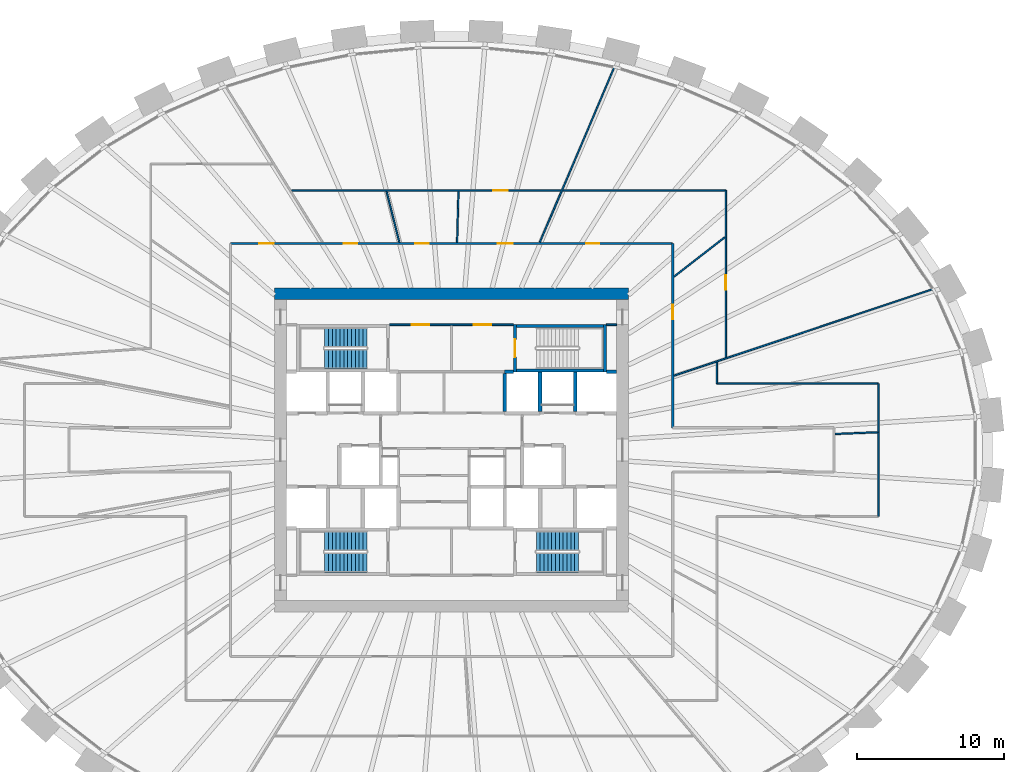
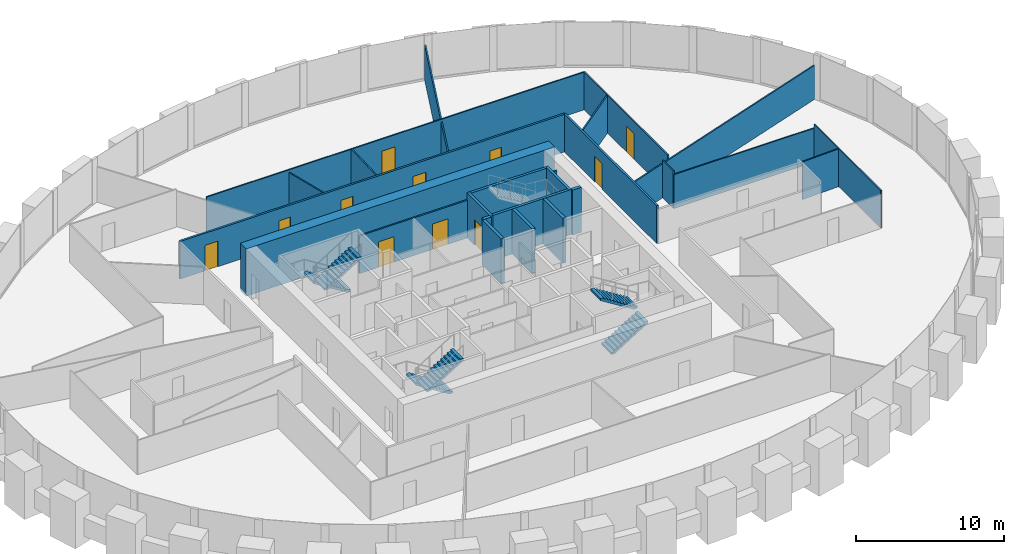
# One storey, part 9 of 11: 25 walls, 11 doors, 6 stair flights, 11 openings, 3 elements without a shape of their own.
"""IFC4 building model written with IfcOpenShell, lengths in metres."""

from ifc_helpers import new_model, si_unit, direction, frame, frame_2d, origin, place, context, subcontext, project, spatial, polyline, rectangle, outline, extrude, source, transform, mapped, material, layer, layer_set, type_object, element, fill, aggregate, save


model = new_model("IFC4")

# Units and contexts
model_context = context("Model", 3, precision=1e-05, world=origin(), true_north=direction((0.0, 1.0)))
body_context = subcontext(model_context, "Body", "Model", "MODEL_VIEW")
ifc_project = project(units=[si_unit("LENGTHUNIT", "METRE"), si_unit("AREAUNIT", "SQUARE_METRE"), si_unit("VOLUMEUNIT", "CUBIC_METRE"), si_unit("PLANEANGLEUNIT", "RADIAN"), si_unit("MASSUNIT", "GRAM", prefix="KILO")], contexts=[model_context])

# Site, building, storey
site_placement = place(None, origin())
site = spatial("IfcSite", under=ifc_project, at=site_placement, CompositionType="ELEMENT")
building_placement = place(site_placement, origin())
building = spatial("IfcBuilding", under=site, at=building_placement, Name="Embergate Tower", CompositionType="ELEMENT")
storey_placement = place(building_placement, frame((0.0, 0.0, 187.199951171875)))
storey = spatial("IfcBuildingStorey", under=building, at=storey_placement, Name="L42", CompositionType="ELEMENT", Elevation=187.199951171875)

# Walls
ifc_material_1 = material(Name="Concrete C70", Category="concrete")
ifc_layer_1 = layer(ifc_material_1, 0.800048828125)
ifc_layer_set_1 = layer_set([ifc_layer_1], Name="Concrete C70")
wall_type_1 = type_object("IfcWallType", Name="Core outer wall C70 800", PredefinedType="SHEAR", material=ifc_layer_set_1)
shared_shape_1 = source(origin(), body_context, "Body", "SweptSolid", [
    extrude(rectangle(XDim=24.0, YDim=0.800048828125, at=frame_2d((12.0, 0.0))), origin(), (0.0, 0.0, 1.0), 3.89990234375),
])
wall_1_placement = place(storey_placement, frame((-12.0, 10.60009765625, -0.199951171875), z_axis=(0.0, 0.0, 1.0), x_axis=(1.0, 0.0, 0.0)))
element("IfcWall", 1, at=wall_1_placement, inside=storey, type_object=wall_type_1, Name="CW-L42-N", PredefinedType="SHEAR", context=body_context, shape_type="MappedRepresentation", body=[
    mapped(shared_shape_1, transform((0.0, 0.0, 0.0))),
])
ifc_material_2 = material(Name="Concrete C50", Category="concrete")
ifc_layer_2 = layer(ifc_material_2, 0.25)
ifc_layer_set_2 = layer_set([ifc_layer_2], Name="Concrete C50")
wall_type_2 = type_object("IfcWallType", Name="Hoistway wall reinforced concrete 250", PredefinedType="SHEAR", material=ifc_layer_set_2)
shared_shape_2 = source(origin(), body_context, "Body", "SweptSolid", [
    extrude(rectangle(XDim=2.675048828125, YDim=0.25, at=frame_2d((1.33740234375, 0.0))), origin(), (0.0, 0.0, 1.0), 3.699951171875),
])
for number, where, z_axis, x_axis, name in (
    (2, (6.0, 2.625, 0.0), (0.0, 0.0, 1.0), (0.0, 1.0, 0.0), "HW-1 wall"),
    (3, (8.39990234375, 2.625, 0.0), (0.0, 0.0, 1.0), (0.0, 1.0, 0.0), "HW-1 wall"),
):
    element("IfcWall", number, at=place(storey_placement, frame(where, z_axis=z_axis, x_axis=x_axis)), inside=storey, type_object=wall_type_2, Name=name, PredefinedType="SHEAR", context=body_context, shape_type="MappedRepresentation", body=[
        mapped(shared_shape_2, transform((0.0, 0.0, 0.0))),
    ])
ifc_layer_3 = layer(ifc_material_2, 0.199951171875)
ifc_layer_set_3 = layer_set([ifc_layer_3], Name="Concrete C50")
wall_type_3 = type_object("IfcWallType", Name="Stair enclosure wall reinforced concrete 250", PredefinedType="SHEAR", material=ifc_layer_set_3)
shared_shape_3 = source(origin(), body_context, "Body", "SweptSolid", [
    extrude(rectangle(XDim=6.300048828125, YDim=0.199951171875, at=frame_2d((3.14990234375, 0.0))), origin(), (0.0, 0.0, 1.0), 3.699951171875),
])
for number, where, z_axis, x_axis, name in (
    (4, (10.5, 5.39990234375, 0.0), (0.0, 0.0, 1.0), (-1.0, 0.0, 0.0), "SE-1 wall"),
    (5, (10.5, 8.39990234375, 0.0), (0.0, 0.0, 1.0), (-1.0, 0.0, 0.0), "SE-1 wall"),
):
    element("IfcWall", number, at=place(storey_placement, frame(where, z_axis=z_axis, x_axis=x_axis)), inside=storey, type_object=wall_type_3, Name=name, PredefinedType="SHEAR", context=body_context, shape_type="MappedRepresentation", body=[
        mapped(shared_shape_3, transform((0.0, 0.0, 0.0))),
    ])
shared_shape_4 = source(origin(), body_context, "Body", "SweptSolid", [
    extrude(rectangle(XDim=2.550048828125, YDim=0.25, at=frame_2d((1.27490234375, 0.0))), origin(), (0.0, 0.0, 1.0), 3.699951171875),
])
wall_2_placement = place(storey_placement, frame((3.60009765625, 5.175048828125, 0.0), z_axis=(0.0, 0.0, 1.0), x_axis=(0.0, -1.0, 0.0)))
element("IfcWall", 6, at=wall_2_placement, inside=storey, type_object=wall_type_2, Name="HW-1 wall", PredefinedType="SHEAR", context=body_context, shape_type="MappedRepresentation", body=[
    mapped(shared_shape_4, transform((0.0, 0.0, 0.0))),
])

# Wall, opening, door
shared_shape_5 = source(origin(), body_context, "Body", "SweptSolid", [
    extrude(rectangle(XDim=3.199951171875, YDim=0.199951171875, at=frame_2d((1.60009765625, 0.0))), origin(), (0.0, 0.0, 1.0), 3.699951171875),
])
wall_3_placement = place(storey_placement, frame((4.300048828125, 8.5, 0.0), z_axis=(0.0, 0.0, 1.0), x_axis=(0.0, -1.0, 0.0)))
wall_3 = element("IfcWall", 7, at=wall_3_placement, inside=storey, type_object=wall_type_3, Name="SE-1 wall", PredefinedType="SHEAR", context=body_context, shape_type="MappedRepresentation", body=[
    mapped(shared_shape_5, transform((0.0, 0.0, 0.0))),
])
shared_shape_6 = source(origin(), body_context, "Body", "SweptSolid", [
    extrude(rectangle(XDim=1.199951171875, YDim=2.10009765625, at=frame_2d((0.60009765625, 1.050048828125))), frame((0.0, 0.10986328125, 0.0), z_axis=(0.0, -1.0, 0.0), x_axis=(1.0, 0.0, 0.0)), (0.0, 0.0, 1.0), 0.219970703125),
])
opening_1_placement = place(wall_3_placement, frame((1.0, 0.0, 0.0)))
opening_1 = element("IfcOpeningElement", 8, at=opening_1_placement, cuts=wall_3, Name="Opening IF-2", PredefinedType="OPENING", context=body_context, shape_type="MappedRepresentation", body=[
    mapped(shared_shape_6, transform((0.0, 0.0, 0.0))),
])
ifc_material_3 = material(Name="Stair enclosure door 1200")
door_type_1 = type_object("IfcDoorType", Name="Stair enclosure door 1200", OperationType="SINGLE_SWING_LEFT", PredefinedType="DOOR", material=ifc_material_3)
shared_shape_7 = source(origin(), body_context, "Body", "SweptSolid", [
    extrude(rectangle(XDim=1.199951171875, YDim=2.10009765625, at=frame_2d((0.60009765625, 1.050048828125))), frame((0.0, 0.02490234375, 0.0), z_axis=(0.0, -1.0, 0.0), x_axis=(1.0, 0.0, 0.0)), (0.0, 0.0, 1.0), 0.050048828125),
])
door_1_placement = place(opening_1_placement, origin())
door_1 = element("IfcDoor", 9, at=door_1_placement, inside=storey, type_object=door_type_1, Name="IF-2 door", OperationType="SINGLE_SWING_RIGHT", OverallHeight=2.10009765625, OverallWidth=1.199951171875, PredefinedType="DOOR", context=body_context, shape_type="MappedRepresentation", body=[
    mapped(shared_shape_7, transform((0.0, 0.0, 0.0))),
])
fill(opening_1, door_1)

# Wall, openings, doors
ifc_material_4 = material(Name="Core partition blockwork 120")
ifc_layer_4 = layer(ifc_material_4, 0.1201171875)
ifc_layer_set_4 = layer_set([ifc_layer_4], Name="Core partition blockwork 120")
wall_type_4 = type_object("IfcWallType", Name="Core partition blockwork 120", PredefinedType="PARTITIONING", material=ifc_layer_set_4)
shared_shape_8 = source(origin(), body_context, "Body", "SweptSolid", [
    extrude(rectangle(XDim=8.39990234375, YDim=0.1201171875, at=frame_2d((4.199951171875, 0.0))), origin(), (0.0, 0.0, 1.0), 3.10009765625),
])
wall_4_placement = place(storey_placement, frame((4.199951171875, 8.5, 0.0), z_axis=(0.0, 0.0, 1.0), x_axis=(-1.0, 0.0, 0.0)))
wall_4 = element("IfcWall", 10, at=wall_4_placement, inside=storey, type_object=wall_type_4, Name="IP-3 wall", PredefinedType="PARTITIONING", context=body_context, shape_type="MappedRepresentation", body=[
    mapped(shared_shape_8, transform((0.0, 0.0, 0.0))),
])
shared_shape_9 = source(origin(), body_context, "Body", "SweptSolid", [
    extrude(rectangle(XDim=1.199951171875, YDim=2.10009765625, at=frame_2d((0.60009765625, 1.050048828125))), frame((0.0, 0.070068359375, 0.0), z_axis=(0.0, -1.0, 0.0), x_axis=(1.0, 0.0, 0.0)), (0.0, 0.0, 1.0), 0.14013671875),
])
opening_2_placement = place(wall_4_placement, frame((5.699951171875, 0.0, 0.0)))
opening_2 = element("IfcOpeningElement", 11, at=opening_2_placement, cuts=wall_4, Name="Opening IF-3f", PredefinedType="OPENING", context=body_context, shape_type="MappedRepresentation", body=[
    mapped(shared_shape_9, transform((0.0, 0.0, 0.0))),
])
opening_3_placement = place(wall_4_placement, frame((1.5, 0.0, 0.0)))
opening_3 = element("IfcOpeningElement", 12, at=opening_3_placement, cuts=wall_4, Name="Opening IF-3f", PredefinedType="OPENING", context=body_context, shape_type="MappedRepresentation", body=[
    mapped(shared_shape_9, transform((0.0, 0.0, 0.0))),
])
ifc_material_5 = material(Name="Lobby fire door pair 1200")
door_type_2 = type_object("IfcDoorType", Name="Lobby fire door pair 1200", OperationType="DOUBLE_DOOR_SINGLE_SWING", PredefinedType="DOOR", material=ifc_material_5)
door_2_placement = place(opening_2_placement, origin())
door_2 = element("IfcDoor", 13, at=door_2_placement, inside=storey, type_object=door_type_2, Name="IF-3 door", OperationType="DOUBLE_DOOR_SINGLE_SWING", OverallHeight=2.10009765625, OverallWidth=1.199951171875, PredefinedType="DOOR", context=body_context, shape_type="MappedRepresentation", body=[
    mapped(shared_shape_7, transform((0.0, 0.0, 0.0))),
])
fill(opening_2, door_2)
door_3_placement = place(opening_3_placement, origin())
door_3 = element("IfcDoor", 14, at=door_3_placement, inside=storey, type_object=door_type_2, Name="IF-3 door", OperationType="DOUBLE_DOOR_SINGLE_SWING", OverallHeight=2.10009765625, OverallWidth=1.199951171875, PredefinedType="DOOR", context=body_context, shape_type="MappedRepresentation", body=[
    mapped(shared_shape_7, transform((0.0, 0.0, 0.0))),
])
fill(opening_3, door_3)

# Walls
ifc_material_6 = material(Name="Partition dry-lined 100 wet")
ifc_layer_5 = layer(ifc_material_6, 0.10009765625)
ifc_layer_set_5 = layer_set([ifc_layer_5], Name="Partition dry-lined 100 wet")
wall_type_5 = type_object("IfcWallType", Name="Partition dry-lined 100 wet", PredefinedType="PLUMBINGWALL", material=ifc_layer_set_5)
shared_shape_10 = source(origin(), body_context, "Body", "SweptSolid", [
    extrude(rectangle(XDim=2.87744140625, YDim=0.10009765625, at=frame_2d((1.438720703125, 0.0))), origin(), (0.0, 0.0, 1.0), 3.10009765625),
])
wall_5_placement = place(storey_placement, frame((28.89990234375, 1.201904296875, 0.0), z_axis=(0.0, 0.0, 1.0), x_axis=(-0.999145964937, -0.041319980038, 0.0)))
element("IfcWall", 15, at=wall_5_placement, inside=storey, type_object=wall_type_5, Name="IP-1 wall", PredefinedType="PLUMBINGWALL", context=body_context, shape_type="MappedRepresentation", body=[
    mapped(shared_shape_10, transform((0.0, 0.0, 0.0))),
])
shared_shape_11 = source(origin(), body_context, "Body", "SweptSolid", [
    extrude(rectangle(XDim=10.949951171875, YDim=0.10009765625, at=frame_2d((5.47509765625, 0.0))), origin(), (0.0, 0.0, 1.0), 2.800048828125),
])
wall_6_placement = place(storey_placement, frame((28.949951171875, 4.5, 0.0), z_axis=(0.0, 0.0, 1.0), x_axis=(-1.0, 0.0, 0.0)))
element("IfcWall", 16, at=wall_6_placement, inside=storey, type_object=wall_type_5, Name="IP-1 wall", PredefinedType="PLUMBINGWALL", context=body_context, shape_type="MappedRepresentation", body=[
    mapped(shared_shape_11, transform((0.0, 0.0, 0.0))),
])
shared_shape_12 = source(origin(), body_context, "Body", "SweptSolid", [
    extrude(rectangle(XDim=0.599853515625, YDim=0.25, at=frame_2d((0.2998046875, 0.0))), origin(), (0.0, 0.0, 1.0), 3.699951171875),
])
wall_7_placement = place(storey_placement, frame((4.199951171875, 5.300048828125, 0.0), z_axis=(0.0, 0.0, 1.0), x_axis=(-1.0, 0.0, 0.0)))
element("IfcWall", 17, at=wall_7_placement, inside=storey, type_object=wall_type_2, Name="HW-1 wall", PredefinedType="SHEAR", context=body_context, shape_type="MappedRepresentation", body=[
    mapped(shared_shape_12, transform((0.0, 0.0, 0.0))),
])
shared_shape_13 = source(origin(), body_context, "Body", "SweptSolid", [
    extrude(rectangle(XDim=3.196044921875, YDim=0.199951171875, at=frame_2d((1.59814453125, 0.0))), origin(), (0.0, 0.0, 1.0), 3.699951171875),
])
wall_8_placement = place(storey_placement, frame((10.39990234375, 5.302001953125, 0.0), z_axis=(0.0, 0.0, 1.0), x_axis=(0.0, 1.0, 0.0)))
element("IfcWall", 18, at=wall_8_placement, inside=storey, type_object=wall_type_3, Name="SE-1 wall", PredefinedType="SHEAR", context=body_context, shape_type="MappedRepresentation", body=[
    mapped(shared_shape_13, transform((0.0, 0.0, 0.0))),
])
shared_shape_14 = source(origin(), body_context, "Body", "SweptSolid", [
    extrude(rectangle(XDim=0.697998046875, YDim=0.25, at=frame_2d((0.34912109375, 0.0))), origin(), (0.0, 0.0, 1.0), 3.699951171875),
])
wall_9_placement = place(storey_placement, frame((11.199951171875, 5.300048828125, 0.0), z_axis=(0.0, 0.0, 1.0), x_axis=(-1.0, 0.0, 0.0)))
element("IfcWall", 19, at=wall_9_placement, inside=storey, type_object=wall_type_2, Name="HW-1 wall", PredefinedType="SHEAR", context=body_context, shape_type="MappedRepresentation", body=[
    mapped(shared_shape_14, transform((0.0, 0.0, 0.0))),
])
shared_shape_15 = source(origin(), body_context, "Body", "SweptSolid", [
    extrude(rectangle(XDim=0.697998046875, YDim=0.1201171875, at=frame_2d((0.34912109375, 0.0))), origin(), (0.0, 0.0, 1.0), 3.10009765625),
])
wall_10_placement = place(storey_placement, frame((10.501953125, 8.5, 0.0), z_axis=(0.0, 0.0, 1.0), x_axis=(1.0, 0.0, 0.0)))
element("IfcWall", 20, at=wall_10_placement, inside=storey, type_object=wall_type_4, Name="IP-3 wall", PredefinedType="PARTITIONING", context=body_context, shape_type="MappedRepresentation", body=[
    mapped(shared_shape_15, transform((0.0, 0.0, 0.0))),
])

# Wall, openings, doors
ifc_material_7 = material(Name="Corridor wall dry-lined 150")
ifc_layer_6 = layer(ifc_material_7, 0.14990234375)
ifc_layer_set_6 = layer_set([ifc_layer_6], Name="Corridor wall dry-lined 150")
wall_type_6 = type_object("IfcWallType", Name="Corridor wall dry-lined 150", PredefinedType="PARTITIONING", material=ifc_layer_set_6)
shared_shape_16 = source(origin(), body_context, "Body", "SweptSolid", [
    extrude(rectangle(XDim=30.0, YDim=0.14990234375, at=frame_2d((15.0, 0.0))), origin(), (0.0, 0.0, 1.0), 3.10009765625),
])
wall_11_placement = place(storey_placement, frame((-15.0, 14.0, 0.0), z_axis=(0.0, 0.0, 1.0), x_axis=(1.0, 0.0, 0.0)))
wall_11 = element("IfcWall", 21, at=wall_11_placement, inside=storey, type_object=wall_type_6, Name="IP-2 wall", PredefinedType="PARTITIONING", context=body_context, shape_type="MappedRepresentation", body=[
    mapped(shared_shape_16, transform((0.0, 0.0, 0.0))),
])
shared_shape_17 = source(origin(), body_context, "Body", "SweptSolid", [
    extrude(rectangle(XDim=0.89990234375, YDim=2.10009765625, at=frame_2d((0.449951171875, 1.050048828125))), frame((0.0, 0.0849609375, 0.0), z_axis=(0.0, -1.0, 0.0), x_axis=(1.0, 0.0, 0.0)), (0.0, 0.0, 1.0), 0.169921875),
])
opening_4_placement = place(wall_11_placement, frame((24.12109375, 0.0, 0.0)))
opening_4 = element("IfcOpeningElement", 22, at=opening_4_placement, cuts=wall_11, Name="Opening IF-1c", PredefinedType="OPENING", context=body_context, shape_type="MappedRepresentation", body=[
    mapped(shared_shape_17, transform((0.0, 0.0, 0.0))),
])
shared_shape_18 = source(origin(), body_context, "Body", "SweptSolid", [
    extrude(rectangle(XDim=1.0, YDim=2.10009765625, at=frame_2d((0.5, 1.050048828125))), frame((0.0, 0.0849609375, 0.0), z_axis=(0.0, -1.0, 0.0), x_axis=(1.0, 0.0, 0.0)), (0.0, 0.0, 1.0), 0.169921875),
])
opening_5_placement = place(wall_11_placement, frame((18.14208984375, 0.0, 0.0)))
opening_5 = element("IfcOpeningElement", 23, at=opening_5_placement, cuts=wall_11, Name="Opening ID-2", PredefinedType="OPENING", context=body_context, shape_type="MappedRepresentation", body=[
    mapped(shared_shape_18, transform((0.0, 0.0, 0.0))),
])
opening_6_placement = place(wall_11_placement, frame((12.548095703125, 0.0, 0.0)))
opening_6 = element("IfcOpeningElement", 24, at=opening_6_placement, cuts=wall_11, Name="Opening IF-1c", PredefinedType="OPENING", context=body_context, shape_type="MappedRepresentation", body=[
    mapped(shared_shape_17, transform((0.0, 0.0, 0.0))),
])
opening_7_placement = place(wall_11_placement, frame((7.7060546875, 0.0, 0.0)))
opening_7 = element("IfcOpeningElement", 25, at=opening_7_placement, cuts=wall_11, Name="Opening IF-1c", PredefinedType="OPENING", context=body_context, shape_type="MappedRepresentation", body=[
    mapped(shared_shape_17, transform((0.0, 0.0, 0.0))),
])
opening_8_placement = place(wall_11_placement, frame((1.946044921875, 0.0, 0.0)))
opening_8 = element("IfcOpeningElement", 26, at=opening_8_placement, cuts=wall_11, Name="Opening ID-2", PredefinedType="OPENING", context=body_context, shape_type="MappedRepresentation", body=[
    mapped(shared_shape_18, transform((0.0, 0.0, 0.0))),
])
ifc_material_8 = material(Name="Escape fire door 900")
door_type_3 = type_object("IfcDoorType", Name="Escape fire door 900", OperationType="SINGLE_SWING_LEFT", PredefinedType="DOOR", material=ifc_material_8)
shared_shape_19 = source(origin(), body_context, "Body", "SweptSolid", [
    extrude(rectangle(XDim=0.89990234375, YDim=2.10009765625, at=frame_2d((0.449951171875, 1.050048828125))), frame((0.0, 0.02490234375, 0.0), z_axis=(0.0, -1.0, 0.0), x_axis=(1.0, 0.0, 0.0)), (0.0, 0.0, 1.0), 0.050048828125),
])
door_4_placement = place(opening_4_placement, origin())
door_4 = element("IfcDoor", 27, at=door_4_placement, inside=storey, type_object=door_type_3, Name="IF-1 door", OperationType="SINGLE_SWING_LEFT", OverallHeight=2.10009765625, OverallWidth=0.89990234375, PredefinedType="DOOR", context=body_context, shape_type="MappedRepresentation", body=[
    mapped(shared_shape_19, transform((0.0, 0.0, 0.0))),
])
fill(opening_4, door_4)
door_5_placement = place(opening_6_placement, origin())
door_5 = element("IfcDoor", 28, at=door_5_placement, inside=storey, type_object=door_type_3, Name="IF-1 door", OperationType="SINGLE_SWING_LEFT", OverallHeight=2.10009765625, OverallWidth=0.89990234375, PredefinedType="DOOR", context=body_context, shape_type="MappedRepresentation", body=[
    mapped(shared_shape_19, transform((0.0, 0.0, 0.0))),
])
fill(opening_6, door_5)
door_6_placement = place(opening_7_placement, origin())
door_6 = element("IfcDoor", 29, at=door_6_placement, inside=storey, type_object=door_type_3, Name="IF-1 door", OperationType="SINGLE_SWING_RIGHT", OverallHeight=2.10009765625, OverallWidth=0.89990234375, PredefinedType="DOOR", context=body_context, shape_type="MappedRepresentation", body=[
    mapped(shared_shape_19, transform((0.0, 0.0, 0.0))),
])
fill(opening_7, door_6)
ifc_material_9 = material(Name="Interior door 1000")
door_type_4 = type_object("IfcDoorType", Name="Interior door 1000", OperationType="SINGLE_SWING_LEFT", PredefinedType="DOOR", material=ifc_material_9)
shared_shape_20 = source(origin(), body_context, "Body", "SweptSolid", [
    extrude(rectangle(XDim=1.0, YDim=2.10009765625, at=frame_2d((0.5, 1.050048828125))), frame((0.0, 0.02490234375, 0.0), z_axis=(0.0, -1.0, 0.0), x_axis=(1.0, 0.0, 0.0)), (0.0, 0.0, 1.0), 0.050048828125),
])
door_7_placement = place(opening_5_placement, origin())
door_7 = element("IfcDoor", 30, at=door_7_placement, inside=storey, type_object=door_type_4, Name="ID-2 door", OperationType="SINGLE_SWING_LEFT", OverallHeight=2.10009765625, OverallWidth=1.0, PredefinedType="DOOR", context=body_context, shape_type="MappedRepresentation", body=[
    mapped(shared_shape_20, transform((0.0, 0.0, 0.0))),
])
fill(opening_5, door_7)
door_8_placement = place(opening_8_placement, origin())
door_8 = element("IfcDoor", 31, at=door_8_placement, inside=storey, type_object=door_type_4, Name="ID-2 door", OperationType="SINGLE_SWING_RIGHT", OverallHeight=2.10009765625, OverallWidth=1.0, PredefinedType="DOOR", context=body_context, shape_type="MappedRepresentation", body=[
    mapped(shared_shape_20, transform((0.0, 0.0, 0.0))),
])
fill(opening_8, door_8)

# Wall, opening, door
ifc_material_10 = material(Name="Corridor wall dry-lined 150 wet")
ifc_layer_7 = layer(ifc_material_10, 0.14990234375)
ifc_layer_set_7 = layer_set([ifc_layer_7], Name="Corridor wall dry-lined 150 wet")
wall_type_7 = type_object("IfcWallType", Name="Corridor wall dry-lined 150 wet", PredefinedType="PLUMBINGWALL", material=ifc_layer_set_7)
shared_shape_21 = source(origin(), body_context, "Body", "SweptSolid", [
    extrude(rectangle(XDim=12.5, YDim=0.14990234375, at=frame_2d((6.25, 0.0))), origin(), (0.0, 0.0, 1.0), 3.10009765625),
])
wall_12_placement = place(storey_placement, frame((15.0, 14.0, 0.0), z_axis=(0.0, 0.0, 1.0), x_axis=(0.0, -1.0, 0.0)))
wall_12 = element("IfcWall", 32, at=wall_12_placement, inside=storey, type_object=wall_type_7, Name="IP-2 wall", PredefinedType="PLUMBINGWALL", context=body_context, shape_type="MappedRepresentation", body=[
    mapped(shared_shape_21, transform((0.0, 0.0, 0.0))),
])
opening_9_placement = place(wall_12_placement, frame((4.137939453125, 0.0, 0.0)))
opening_9 = element("IfcOpeningElement", 33, at=opening_9_placement, cuts=wall_12, Name="Opening ID-2", PredefinedType="OPENING", context=body_context, shape_type="MappedRepresentation", body=[
    mapped(shared_shape_18, transform((0.0, 0.0, 0.0))),
])
door_9_placement = place(opening_9_placement, origin())
door_9 = element("IfcDoor", 34, at=door_9_placement, inside=storey, type_object=door_type_4, Name="ID-2 door", OperationType="SINGLE_SWING_RIGHT", OverallHeight=2.10009765625, OverallWidth=1.0, PredefinedType="DOOR", context=body_context, shape_type="MappedRepresentation", body=[
    mapped(shared_shape_20, transform((0.0, 0.0, 0.0))),
])
fill(opening_9, door_9)

# Walls
shared_shape_22 = source(origin(), body_context, "Body", "SweptSolid", [
    extrude(rectangle(XDim=9.0, YDim=0.10009765625, at=frame_2d((4.5, 0.0))), origin(), (0.0, 0.0, 1.0), 3.10009765625),
])
wall_13_placement = place(storey_placement, frame((28.949951171875, 4.5, 0.0), z_axis=(0.0, 0.0, 1.0), x_axis=(0.0, -1.0, 0.0)))
element("IfcWall", 35, at=wall_13_placement, inside=storey, type_object=wall_type_5, Name="IP-1 wall", PredefinedType="PLUMBINGWALL", context=body_context, shape_type="MappedRepresentation", body=[
    mapped(shared_shape_22, transform((0.0, 0.0, 0.0))),
])
shared_shape_23 = source(origin(), body_context, "Body", "SweptSolid", [
    extrude(rectangle(XDim=1.444091796875, YDim=0.10009765625, at=frame_2d((0.72216796875, 0.0))), origin(), (0.0, 0.0, 1.0), 3.10009765625),
])
wall_14_placement = place(storey_placement, frame((18.0, 4.5, 0.0), z_axis=(0.0, 0.0, 1.0), x_axis=(0.0, 1.0, 0.0)))
element("IfcWall", 36, at=wall_14_placement, inside=storey, type_object=wall_type_5, Name="IP-1 wall", PredefinedType="PLUMBINGWALL", context=body_context, shape_type="MappedRepresentation", body=[
    mapped(shared_shape_23, transform((0.0, 0.0, 0.0))),
])
shared_shape_24 = source(origin(), body_context, "Body", "SweptSolid", [
    extrude(rectangle(XDim=18.518310546875, YDim=0.10009765625, at=frame_2d((9.25927734375, 0.0))), origin(), (0.0, 0.0, 1.0), 2.800048828125),
])
wall_15_placement = place(storey_placement, frame((32.655029296875, 10.908935546875, 0.0), z_axis=(0.0, 0.0, 1.0), x_axis=(-0.94846818323, -0.316872380305, 0.0)))
element("IfcWall", 37, at=wall_15_placement, inside=storey, type_object=wall_type_5, Name="IP-1 wall", PredefinedType="PLUMBINGWALL", context=body_context, shape_type="MappedRepresentation", body=[
    mapped(shared_shape_24, transform((0.0, 0.0, 0.0))),
])
ifc_material_11 = material(Name="Partition dry-lined 100")
ifc_layer_8 = layer(ifc_material_11, 0.10009765625)
ifc_layer_set_8 = layer_set([ifc_layer_8], Name="Partition dry-lined 100")
wall_type_8 = type_object("IfcWallType", Name="Partition dry-lined 100", PredefinedType="PARTITIONING", material=ifc_layer_set_8)
shared_shape_25 = source(origin(), body_context, "Body", "SweptSolid", [
    extrude(rectangle(XDim=4.32666015625, YDim=0.10009765625, at=frame_2d((2.163330078125, 0.0))), origin(), (0.0, 0.0, 1.0), 3.10009765625),
])
wall_16_placement = place(storey_placement, frame((15.10595703125, 11.76611328125, 0.0), z_axis=(0.0, 0.0, 1.0), x_axis=(0.788868859173, 0.614561569761, 0.0)))
element("IfcWall", 38, at=wall_16_placement, inside=storey, type_object=wall_type_8, Name="IP-1 wall", PredefinedType="PARTITIONING", context=body_context, shape_type="MappedRepresentation", body=[
    mapped(shared_shape_25, transform((0.0, 0.0, 0.0))),
])

# Wall, opening, door
shared_shape_26 = source(origin(), body_context, "Body", "SweptSolid", [
    extrude(rectangle(XDim=11.317138671875, YDim=0.10009765625, at=frame_2d((5.65869140625, 0.0))), origin(), (0.0, 0.0, 1.0), 3.10009765625),
])
wall_17_placement = place(storey_placement, frame((18.60009765625, 17.60009765625, 0.0), z_axis=(0.0, 0.0, 1.0), x_axis=(0.0, -1.0, 0.0)))
wall_17 = element("IfcWall", 39, at=wall_17_placement, inside=storey, type_object=wall_type_8, Name="IP-1 wall", PredefinedType="PARTITIONING", context=body_context, shape_type="MappedRepresentation", body=[
    mapped(shared_shape_26, transform((0.0, 0.0, 0.0))),
])
shared_shape_27 = source(origin(), body_context, "Body", "SweptSolid", [
    extrude(rectangle(XDim=1.0, YDim=2.10009765625, at=frame_2d((0.5, 1.050048828125))), frame((0.0, 0.06005859375, 0.0), z_axis=(0.0, -1.0, 0.0), x_axis=(1.0, 0.0, 0.0)), (0.0, 0.0, 1.0), 0.1201171875),
])
opening_10_placement = place(wall_17_placement, frame((5.748046875, 0.0, 0.0)))
opening_10 = element("IfcOpeningElement", 40, at=opening_10_placement, cuts=wall_17, Name="Opening ID-2", PredefinedType="OPENING", context=body_context, shape_type="MappedRepresentation", body=[
    mapped(shared_shape_27, transform((0.0, 0.0, 0.0))),
])
door_10_placement = place(opening_10_placement, origin())
door_10 = element("IfcDoor", 41, at=door_10_placement, inside=storey, type_object=door_type_4, Name="ID-2 door", OperationType="SINGLE_SWING_LEFT", OverallHeight=2.10009765625, OverallWidth=1.0, PredefinedType="DOOR", context=body_context, shape_type="MappedRepresentation", body=[
    mapped(shared_shape_20, transform((0.0, 0.0, 0.0))),
])
fill(opening_10, door_10)

shared_shape_28 = source(origin(), body_context, "Body", "SweptSolid", [
    extrude(rectangle(XDim=29.444091796875, YDim=0.10009765625, at=frame_2d((14.72216796875, 0.0))), origin(), (0.0, 0.0, 1.0), 3.10009765625),
])
wall_18_placement = place(storey_placement, frame((18.60009765625, 17.60009765625, 0.0), z_axis=(0.0, 0.0, 1.0), x_axis=(-1.0, 0.0, 0.0)))
wall_18 = element("IfcWall", 42, at=wall_18_placement, inside=storey, type_object=wall_type_8, Name="IP-1 wall", PredefinedType="PARTITIONING", context=body_context, shape_type="MappedRepresentation", body=[
    mapped(shared_shape_28, transform((0.0, 0.0, 0.0))),
])
opening_11_placement = place(wall_18_placement, frame((14.77197265625, 0.0, 0.0)))
opening_11 = element("IfcOpeningElement", 43, at=opening_11_placement, cuts=wall_18, Name="Opening ID-2", PredefinedType="OPENING", context=body_context, shape_type="MappedRepresentation", body=[
    mapped(shared_shape_27, transform((0.0, 0.0, 0.0))),
])
door_11_placement = place(opening_11_placement, origin())
door_11 = element("IfcDoor", 44, at=door_11_placement, inside=storey, type_object=door_type_4, Name="ID-2 door", OperationType="SINGLE_SWING_RIGHT", OverallHeight=2.10009765625, OverallWidth=1.0, PredefinedType="DOOR", context=body_context, shape_type="MappedRepresentation", body=[
    mapped(shared_shape_20, transform((0.0, 0.0, 0.0))),
])
fill(opening_11, door_11)

# Walls
shared_shape_29 = source(origin(), body_context, "Body", "SweptSolid", [
    extrude(rectangle(XDim=12.89892578125, YDim=0.10009765625, at=frame_2d((6.449462890625, 0.0))), origin(), (0.0, 0.0, 1.0), 2.900146484375),
])
wall_19_placement = place(storey_placement, frame((11.0419921875, 25.965087890625, 0.0), z_axis=(0.0, 0.0, 1.0), x_axis=(-0.391357054533, -0.920238912385, 0.0)))
element("IfcWall", 45, at=wall_19_placement, inside=storey, type_object=wall_type_8, Name="IP-1 wall", PredefinedType="PARTITIONING", context=body_context, shape_type="MappedRepresentation", body=[
    mapped(shared_shape_29, transform((0.0, 0.0, 0.0))),
])
shared_shape_30 = source(origin(), body_context, "Body", "SweptSolid", [
    extrude(rectangle(XDim=3.476318359375, YDim=0.10009765625, at=frame_2d((1.73828125, 0.0))), origin(), (0.0, 0.0, 1.0), 3.10009765625),
])
wall_20_placement = place(storey_placement, frame((0.376953125, 14.074951171875, 0.0), z_axis=(0.0, 0.0, 1.0), x_axis=(0.026757312518, 0.999641959017, 0.0)))
element("IfcWall", 46, at=wall_20_placement, inside=storey, type_object=wall_type_8, Name="IP-1 wall", PredefinedType="PARTITIONING", context=body_context, shape_type="MappedRepresentation", body=[
    mapped(shared_shape_30, transform((0.0, 0.0, 0.0))),
])
shared_shape_31 = source(origin(), body_context, "Body", "SweptSolid", [
    extrude(rectangle(XDim=3.558349609375, YDim=0.10009765625, at=frame_2d((1.779296875, 0.0))), origin(), (0.0, 0.0, 1.0), 2.900146484375),
])
wall_21_placement = place(storey_placement, frame((-3.5400390625, 14.0869140625, 0.0), z_axis=(0.0, 0.0, 1.0), x_axis=(-0.243633225783, 0.969867440063, 0.0)))
element("IfcWall", 47, at=wall_21_placement, inside=storey, type_object=wall_type_8, Name="IP-1 wall", PredefinedType="PARTITIONING", context=body_context, shape_type="MappedRepresentation", body=[
    mapped(shared_shape_31, transform((0.0, 0.0, 0.0))),
])

# Stair, stair flights
ifc_material_12 = material(Name="Exit stair")
stair_type = type_object("IfcStairType", Name="Exit stair", PredefinedType="HALF_TURN_STAIR", material=ifc_material_12)
stair_1_placement = place(storey_placement, origin())
stair_1 = element("IfcStair", 48, at=stair_1_placement, inside=storey, type_object=stair_type, Name="L42 Exit stair 1", PredefinedType="HALF_TURN_STAIR")
ifc_material_13 = material(Name="Concrete C40", Category="concrete")
stair_flight_type = type_object("IfcStairFlightType", Name="Stair flight reinforced concrete", PredefinedType="STRAIGHT", material=ifc_material_13)
shared_shape_32 = source(origin(), body_context, "Body", "SweptSolid", [
    extrude(outline(polyline([(0.0, 0.0), (0.0, 0.16259765625), (0.260009765625, 0.16259765625), (0.260009765625, 0.324951171875), (0.52001953125, 0.324951171875), (0.52001953125, 0.487548828125), (0.780029296875, 0.487548828125), (0.780029296875, 0.64990234375), (1.0400390625, 0.64990234375), (1.0400390625, 0.8125), (1.300048828125, 0.8125), (1.300048828125, 0.97509765625), (1.56005859375, 0.97509765625), (1.56005859375, 1.137451171875), (1.820068359375, 1.137451171875), (1.820068359375, 1.300048828125), (2.080078125, 1.300048828125), (2.080078125, 1.46240234375), (2.340087890625, 1.46240234375), (2.340087890625, 1.625), (2.60009765625, 1.625), (2.60009765625, 1.78759765625), (2.860107421875, 1.78759765625), (2.860107421875, 1.949951171875), (2.860107421875, 1.61083984375), (0.28271484375, 0.0), (0.0, 0.0)])), frame((0.0, 0.675048828125, 0.0), z_axis=(0.0, -1.0, 0.0), x_axis=(1.0, 0.0, 0.0)), (0.0, 0.0, 1.0), 1.35009765625),
])
stair_flight_1_placement = place(storey_placement, frame((-5.75, 7.625, 0.0), z_axis=(0.0, 0.0, 1.0), x_axis=(-1.0, 0.0, 0.0)))
stair_flight_1 = element("IfcStairFlight", 49, at=stair_flight_1_placement, type_object=stair_flight_type, Name="ST1 flight 1", NumberOfRisers=12, NumberOfTreads=11, PredefinedType="STRAIGHT", RiserHeight=0.1625, TreadLength=0.26, context=body_context, shape_type="MappedRepresentation", body=[
    mapped(shared_shape_32, transform((0.0, 0.0, 0.0))),
])
stair_flight_2_placement = place(storey_placement, frame((-8.610107421875, 6.175048828125, 1.949951171875), z_axis=(0.0, 0.0, 1.0), x_axis=(1.0, 0.0, 0.0)))
stair_flight_2 = element("IfcStairFlight", 50, at=stair_flight_2_placement, type_object=stair_flight_type, Name="ST1 flight 2", NumberOfRisers=12, NumberOfTreads=11, PredefinedType="STRAIGHT", RiserHeight=0.1625, TreadLength=0.26, context=body_context, shape_type="MappedRepresentation", body=[
    mapped(shared_shape_32, transform((0.0, 0.0, 0.0))),
])
aggregate(stair_1, [stair_flight_1, stair_flight_2])

stair_2_placement = place(storey_placement, origin())
stair_2 = element("IfcStair", 51, at=stair_2_placement, inside=storey, type_object=stair_type, Name="L42 Exit stair 3", PredefinedType="HALF_TURN_STAIR")
stair_flight_3_placement = place(storey_placement, frame((-5.75, -6.175048828125, 0.0), z_axis=(0.0, 0.0, 1.0), x_axis=(-1.0, 0.0, 0.0)))
stair_flight_3 = element("IfcStairFlight", 52, at=stair_flight_3_placement, type_object=stair_flight_type, Name="ST3 flight 1", NumberOfRisers=12, NumberOfTreads=11, PredefinedType="STRAIGHT", RiserHeight=0.1625, TreadLength=0.26, context=body_context, shape_type="MappedRepresentation", body=[
    mapped(shared_shape_32, transform((0.0, 0.0, 0.0))),
])
stair_flight_4_placement = place(storey_placement, frame((-8.610107421875, -7.625, 1.949951171875), z_axis=(0.0, 0.0, 1.0), x_axis=(1.0, 0.0, 0.0)))
stair_flight_4 = element("IfcStairFlight", 53, at=stair_flight_4_placement, type_object=stair_flight_type, Name="ST3 flight 2", NumberOfRisers=12, NumberOfTreads=11, PredefinedType="STRAIGHT", RiserHeight=0.1625, TreadLength=0.26, context=body_context, shape_type="MappedRepresentation", body=[
    mapped(shared_shape_32, transform((0.0, 0.0, 0.0))),
])
aggregate(stair_2, [stair_flight_3, stair_flight_4])

stair_3_placement = place(storey_placement, origin())
stair_3 = element("IfcStair", 54, at=stair_3_placement, inside=storey, type_object=stair_type, Name="L42 Exit stair 4", PredefinedType="HALF_TURN_STAIR")
stair_flight_5_placement = place(storey_placement, frame((5.75, -7.625, 0.0), z_axis=(0.0, 0.0, 1.0), x_axis=(1.0, 0.0, 0.0)))
stair_flight_5 = element("IfcStairFlight", 55, at=stair_flight_5_placement, type_object=stair_flight_type, Name="ST4 flight 1", NumberOfRisers=12, NumberOfTreads=11, PredefinedType="STRAIGHT", RiserHeight=0.1625, TreadLength=0.26, context=body_context, shape_type="MappedRepresentation", body=[
    mapped(shared_shape_32, transform((0.0, 0.0, 0.0))),
])
stair_flight_6_placement = place(storey_placement, frame((8.610107421875, -6.175048828125, 1.949951171875), z_axis=(0.0, 0.0, 1.0), x_axis=(-1.0, 0.0, 0.0)))
stair_flight_6 = element("IfcStairFlight", 56, at=stair_flight_6_placement, type_object=stair_flight_type, Name="ST4 flight 2", NumberOfRisers=12, NumberOfTreads=11, PredefinedType="STRAIGHT", RiserHeight=0.1625, TreadLength=0.26, context=body_context, shape_type="MappedRepresentation", body=[
    mapped(shared_shape_32, transform((0.0, 0.0, 0.0))),
])
aggregate(stair_3, [stair_flight_5, stair_flight_6])

save(model, "model.ifc")
